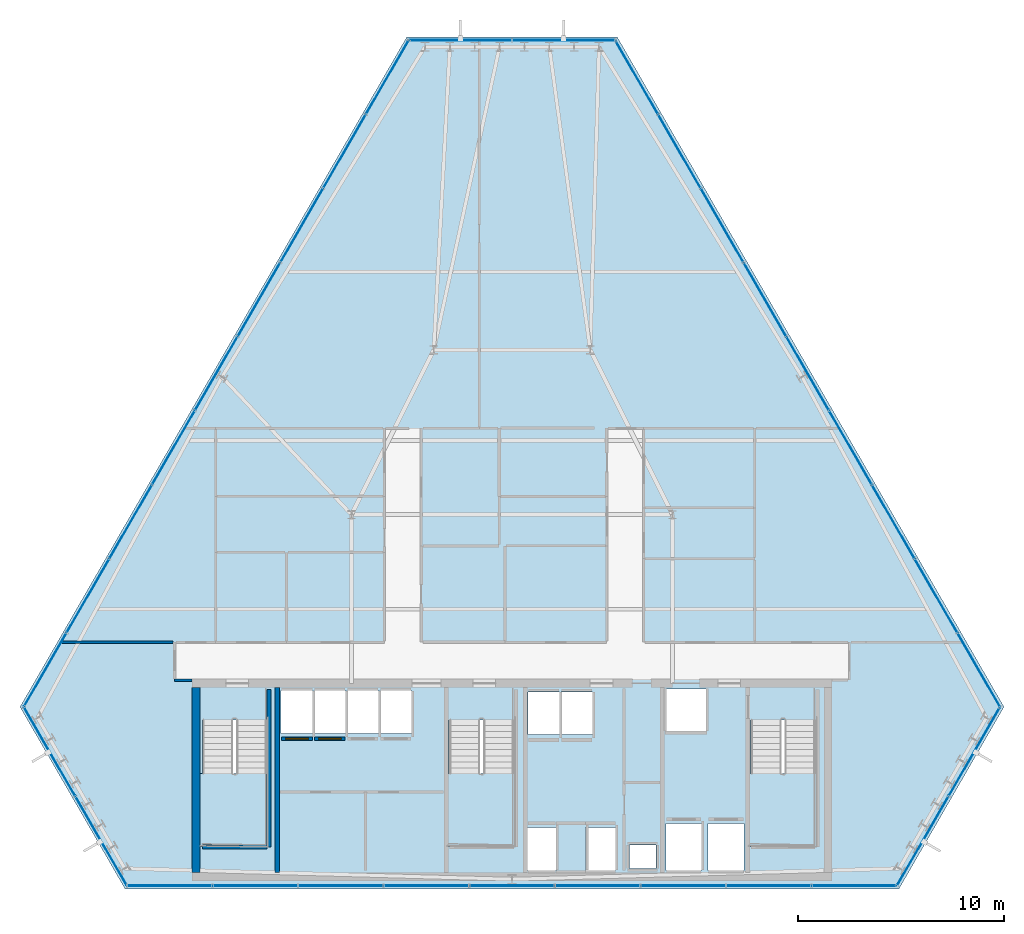
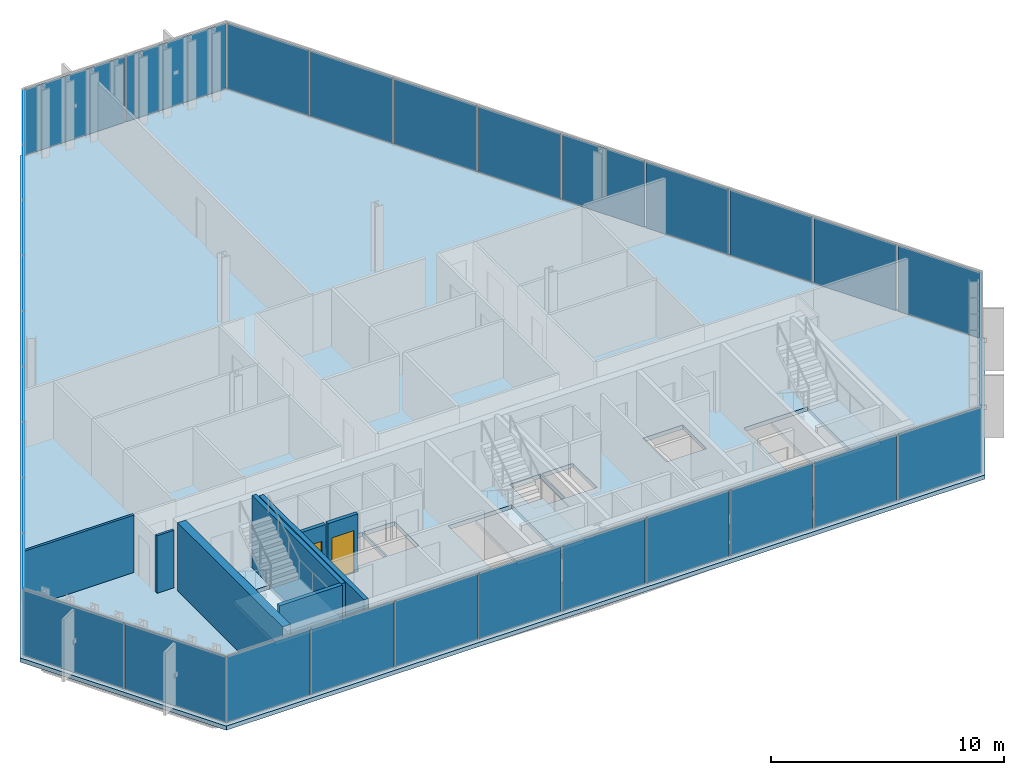
# One storey, part 27 of 35: 33 plates, 8 walls, 4 slabs, 2 doors, 2 openings, 9 elements without a shape of their own.
"""IFC4 building model written with IfcOpenShell, lengths in metres."""

from ifc_helpers import new_model, si_unit, direction, frame, frame_2d, origin, origin_2d, place, context, subcontext, project, spatial, polyline, rectangle, outline, extrude, material, layer, layer_set, type_object, element, fill, aggregate, save


model = new_model("IFC4")

# Units and contexts
model_context = context("Model", 3, precision=1e-05, world=origin(), true_north=direction((0.0, 1.0)))
body_context = subcontext(model_context, "Body", "Model", "MODEL_VIEW")
ifc_project = project(units=[si_unit("LENGTHUNIT", "METRE"), si_unit("AREAUNIT", "SQUARE_METRE"), si_unit("VOLUMEUNIT", "CUBIC_METRE"), si_unit("PLANEANGLEUNIT", "RADIAN"), si_unit("MASSUNIT", "GRAM", prefix="KILO")], contexts=[model_context])

# Site, building, storey
site_placement = place(None, origin())
site = spatial("IfcSite", under=ifc_project, at=site_placement, CompositionType="ELEMENT")
building_placement = place(site_placement, origin())
building = spatial("IfcBuilding", under=site, at=building_placement, Name="Ndaravel Arena Tower", CompositionType="ELEMENT")
storey_placement = place(building_placement, frame((0.0, 0.0, 176.39990234375)))
storey = spatial("IfcBuildingStorey", under=building, at=storey_placement, Name="L42", CompositionType="ELEMENT", Elevation=176.39990234375)

# Curtain wall, plate
ifc_material_1 = material(Name="Aluminium", Category="aluminium")
ifc_layer_1 = layer(ifc_material_1, 0.179931640625)
ifc_layer_set_1 = layer_set([ifc_layer_1], Name="Aluminium")
curtain_wall_type_1 = type_object("IfcCurtainWallType", Name="CW-SYS-01", PredefinedType="NOTDEFINED", material=ifc_layer_set_1)
curtain_wall_1_placement = place(storey_placement, origin())
curtain_wall_1 = element("IfcCurtainWall", 1, at=curtain_wall_1_placement, inside=storey, type_object=curtain_wall_type_1, Name="L42 Faceted Crystal Curtain Wall CW-L42-E02", PredefinedType="NOTDEFINED")
ifc_material_2 = material(Name="Glazing", Category="glass")
ifc_layer_2 = layer(ifc_material_2, 0.035888671875)
ifc_layer_set_2 = layer_set([ifc_layer_2], Name="Glazing")
plate_type_1 = type_object("IfcPlateType", Name="PLT-CW-OPVENT", PredefinedType="CURTAIN_PANEL", material=ifc_layer_set_2)
plate_1_placement = place(storey_placement, frame((64.467529296875, 11.6796875, 0.06005859375), z_axis=(0.0, 0.0, 1.0), x_axis=(0.5, 0.866025403784, 0.0)))
plate_1 = element("IfcPlate", 2, at=plate_1_placement, type_object=plate_type_1, Name="CW-L42-E02 Operable Vent Sash Panel 02", PredefinedType="CURTAIN_PANEL", context=body_context, shape_type="SweptSolid", body=[
    extrude(rectangle(XDim=4.938720703125, YDim=0.035888671875, at=origin_2d()), origin(), (0.0, 0.0, 1.0), 3.4599609375),
])

curtain_wall_2_placement = place(storey_placement, origin())
curtain_wall_2 = element("IfcCurtainWall", 3, at=curtain_wall_2_placement, inside=storey, type_object=curtain_wall_type_1, Name="L42 Faceted Crystal Curtain Wall CW-L42-E04", PredefinedType="NOTDEFINED")
plate_2_placement = place(storey_placement, frame((39.490478515625, 46.248291015625, 0.06005859375), z_axis=(0.0, 0.0, 1.0), x_axis=(-1.0, 0.0, 0.0)))
plate_2 = element("IfcPlate", 4, at=plate_2_placement, type_object=plate_type_1, Name="CW-L42-E04 Operable Vent Sash Panel 02", PredefinedType="CURTAIN_PANEL", context=body_context, shape_type="SweptSolid", body=[
    extrude(rectangle(XDim=4.938720703125, YDim=0.035888671875, at=origin_2d()), origin(), (0.0, 0.0, 1.0), 3.4599609375),
])

ifc_material_3 = material(Name="Aluminium", Category="aluminium")
ifc_layer_3 = layer(ifc_material_3, 0.179931640625)
ifc_layer_set_3 = layer_set([ifc_layer_3], Name="Aluminium")
curtain_wall_type_2 = type_object("IfcCurtainWallType", Name="CW-SYS-02", PredefinedType="NOTDEFINED", material=ifc_layer_set_3)
curtain_wall_3_placement = place(storey_placement, origin())
curtain_wall_3 = element("IfcCurtainWall", 5, at=curtain_wall_3_placement, inside=storey, type_object=curtain_wall_type_2, Name="L42 Faceted Crystal Curtain Wall CW-L42-E06", PredefinedType="NOTDEFINED")
plate_3_placement = place(storey_placement, frame((22.0419921875, 7.333251953125, 0.06005859375), z_axis=(0.0, 0.0, 1.0), x_axis=(0.5, -0.866025403784, 0.0)))
plate_3 = element("IfcPlate", 6, at=plate_3_placement, type_object=plate_type_1, Name="CW-L42-E06 Operable Vent Sash Panel 02", PredefinedType="CURTAIN_PANEL", context=body_context, shape_type="SweptSolid", body=[
    extrude(rectangle(XDim=4.938720703125, YDim=0.035888671875, at=origin_2d()), origin(), (0.0, 0.0, 1.0), 3.4599609375),
])

# Plate
ifc_material_4 = material(Name="Glazing", Category="glass")
ifc_layer_4 = layer(ifc_material_4, 0.031982421875)
ifc_layer_set_4 = layer_set([ifc_layer_4], Name="Glazing")
plate_type_2 = type_object("IfcPlateType", Name="PLT-GLZ-FRIT35", PredefinedType="CURTAIN_PANEL", material=ifc_layer_set_4)
plate_4_placement = place(storey_placement, frame((61.9580078125, 7.333251953125, 0.06005859375), z_axis=(0.0, 0.0, 1.0), x_axis=(0.5, 0.866025403784, 0.0)))
plate_4 = element("IfcPlate", 7, at=plate_4_placement, type_object=plate_type_2, Name="CW-L42-E02 Vision Glass Panel 01", PredefinedType="CURTAIN_PANEL", context=body_context, shape_type="SweptSolid", body=[
    extrude(rectangle(XDim=4.938720703125, YDim=0.035888671875, at=origin_2d()), origin(), (0.0, 0.0, 1.0), 3.4599609375),
])

aggregate(curtain_wall_1, [plate_4, plate_1])

plate_5_placement = place(storey_placement, frame((44.509521484375, 46.248291015625, 0.06005859375), z_axis=(0.0, 0.0, 1.0), x_axis=(-1.0, 0.0, 0.0)))
plate_5 = element("IfcPlate", 8, at=plate_5_placement, type_object=plate_type_2, Name="CW-L42-E04 Vision Glass Panel 01", PredefinedType="CURTAIN_PANEL", context=body_context, shape_type="SweptSolid", body=[
    extrude(rectangle(XDim=4.938720703125, YDim=0.035888671875, at=origin_2d()), origin(), (0.0, 0.0, 1.0), 3.4599609375),
])

aggregate(curtain_wall_2, [plate_5, plate_2])

ifc_material_5 = material(Name="Glazing", Category="glass")
ifc_layer_5 = layer(ifc_material_5, 0.035888671875)
ifc_layer_set_5 = layer_set([ifc_layer_5], Name="Glazing")
plate_type_3 = type_object("IfcPlateType", Name="PLT-GLZ-FRIT55", PredefinedType="CURTAIN_PANEL", material=ifc_layer_set_5)
plate_6_placement = place(storey_placement, frame((19.532470703125, 11.6796875, 0.06005859375), z_axis=(0.0, 0.0, 1.0), x_axis=(0.5, -0.866025403784, 0.0)))
plate_6 = element("IfcPlate", 9, at=plate_6_placement, type_object=plate_type_3, Name="CW-L42-E06 Vision Glass Panel 01", PredefinedType="CURTAIN_PANEL", context=body_context, shape_type="SweptSolid", body=[
    extrude(rectangle(XDim=4.938720703125, YDim=0.035888671875, at=origin_2d()), origin(), (0.0, 0.0, 1.0), 3.4599609375),
])

aggregate(curtain_wall_3, [plate_6, plate_3])

# Curtain wall, plates
ifc_material_6 = material(Name="Aluminium", Category="aluminium")
ifc_layer_6 = layer(ifc_material_6, 0.179931640625)
ifc_layer_set_6 = layer_set([ifc_layer_6], Name="Aluminium")
curtain_wall_type_3 = type_object("IfcCurtainWallType", Name="CW-SYS-03", PredefinedType="NOTDEFINED", material=ifc_layer_set_6)
curtain_wall_4_placement = place(storey_placement, origin())
curtain_wall_4 = element("IfcCurtainWall", 10, at=curtain_wall_4_placement, inside=storey, type_object=curtain_wall_type_3, Name="L42 Faceted Crystal Curtain Wall CW-L42-E01", PredefinedType="NOTDEFINED")
ifc_material_7 = material(Name="Glazing", Category="glass")
ifc_layer_7 = layer(ifc_material_7, 0.0400390625)
ifc_layer_set_7 = layer_set([ifc_layer_7], Name="Glazing")
plate_type_4 = type_object("IfcPlateType", Name="PLT-GLZ-LOWIRON", PredefinedType="CURTAIN_PANEL", material=ifc_layer_set_7)
plate_7_placement = place(storey_placement, frame((25.374755859375, 5.159912109375, 0.06005859375), z_axis=(0.0, 0.0, 1.0), x_axis=(1.0, 0.0, 0.0)))
plate_7 = element("IfcPlate", 11, at=plate_7_placement, type_object=plate_type_4, Name="CW-L42-E01 Vision Glass Panel 01", PredefinedType="CURTAIN_PANEL", context=body_context, shape_type="SweptSolid", body=[
    extrude(rectangle(XDim=4.076416015625, YDim=0.035888671875, at=origin_2d()), origin(), (0.0, 0.0, 1.0), 3.4599609375),
])
plate_8_placement = place(storey_placement, frame((29.531005859375, 5.159912109375, 0.06005859375), z_axis=(0.0, 0.0, 1.0), x_axis=(1.0, 0.0, 0.0)))
plate_8 = element("IfcPlate", 12, at=plate_8_placement, type_object=plate_type_4, Name="CW-L42-E01 Vision Glass Panel 02", PredefinedType="CURTAIN_PANEL", context=body_context, shape_type="SweptSolid", body=[
    extrude(rectangle(XDim=4.076416015625, YDim=0.035888671875, at=origin_2d()), origin(), (0.0, 0.0, 1.0), 3.4599609375),
])
plate_9_placement = place(storey_placement, frame((33.6875, 5.159912109375, 0.06005859375), z_axis=(0.0, 0.0, 1.0), x_axis=(1.0, 0.0, 0.0)))
plate_9 = element("IfcPlate", 13, at=plate_9_placement, type_object=plate_type_4, Name="CW-L42-E01 Vision Glass Panel 03", PredefinedType="CURTAIN_PANEL", context=body_context, shape_type="SweptSolid", body=[
    extrude(rectangle(XDim=4.076416015625, YDim=0.035888671875, at=origin_2d()), origin(), (0.0, 0.0, 1.0), 3.4599609375),
])
plate_10_placement = place(storey_placement, frame((37.84375, 5.159912109375, 0.06005859375), z_axis=(0.0, 0.0, 1.0), x_axis=(1.0, 0.0, 0.0)))
plate_10 = element("IfcPlate", 14, at=plate_10_placement, type_object=plate_type_4, Name="CW-L42-E01 Vision Glass Panel 04", PredefinedType="CURTAIN_PANEL", context=body_context, shape_type="SweptSolid", body=[
    extrude(rectangle(XDim=4.076416015625, YDim=0.035888671875, at=origin_2d()), origin(), (0.0, 0.0, 1.0), 3.4599609375),
])
plate_11_placement = place(storey_placement, frame((42.0, 5.159912109375, 0.06005859375), z_axis=(0.0, 0.0, 1.0), x_axis=(1.0, 0.0, 0.0)))
plate_11 = element("IfcPlate", 15, at=plate_11_placement, type_object=plate_type_4, Name="CW-L42-E01 Vision Glass Panel 05", PredefinedType="CURTAIN_PANEL", context=body_context, shape_type="SweptSolid", body=[
    extrude(rectangle(XDim=4.076416015625, YDim=0.035888671875, at=origin_2d()), origin(), (0.0, 0.0, 1.0), 3.4599609375),
])
plate_12_placement = place(storey_placement, frame((46.15625, 5.159912109375, 0.06005859375), z_axis=(0.0, 0.0, 1.0), x_axis=(1.0, 0.0, 0.0)))
plate_12 = element("IfcPlate", 16, at=plate_12_placement, type_object=plate_type_4, Name="CW-L42-E01 Vision Glass Panel 06", PredefinedType="CURTAIN_PANEL", context=body_context, shape_type="SweptSolid", body=[
    extrude(rectangle(XDim=4.076416015625, YDim=0.035888671875, at=origin_2d()), origin(), (0.0, 0.0, 1.0), 3.4599609375),
])
plate_13_placement = place(storey_placement, frame((50.3125, 5.159912109375, 0.06005859375), z_axis=(0.0, 0.0, 1.0), x_axis=(1.0, 0.0, 0.0)))
plate_13 = element("IfcPlate", 17, at=plate_13_placement, type_object=plate_type_4, Name="CW-L42-E01 Vision Glass Panel 07", PredefinedType="CURTAIN_PANEL", context=body_context, shape_type="SweptSolid", body=[
    extrude(rectangle(XDim=4.076416015625, YDim=0.035888671875, at=origin_2d()), origin(), (0.0, 0.0, 1.0), 3.4599609375),
])
plate_14_placement = place(storey_placement, frame((54.468994140625, 5.159912109375, 0.06005859375), z_axis=(0.0, 0.0, 1.0), x_axis=(1.0, 0.0, 0.0)))
plate_14 = element("IfcPlate", 18, at=plate_14_placement, type_object=plate_type_4, Name="CW-L42-E01 Vision Glass Panel 08", PredefinedType="CURTAIN_PANEL", context=body_context, shape_type="SweptSolid", body=[
    extrude(rectangle(XDim=4.076416015625, YDim=0.035888671875, at=origin_2d()), origin(), (0.0, 0.0, 1.0), 3.4599609375),
])
plate_15_placement = place(storey_placement, frame((58.625244140625, 5.159912109375, 0.06005859375), z_axis=(0.0, 0.0, 1.0), x_axis=(1.0, 0.0, 0.0)))
plate_15 = element("IfcPlate", 19, at=plate_15_placement, type_object=plate_type_4, Name="CW-L42-E01 Vision Glass Panel 09", PredefinedType="CURTAIN_PANEL", context=body_context, shape_type="SweptSolid", body=[
    extrude(rectangle(XDim=4.076416015625, YDim=0.035888671875, at=origin_2d()), origin(), (0.0, 0.0, 1.0), 3.4599609375),
])
aggregate(curtain_wall_4, [plate_7, plate_8, plate_9, plate_10, plate_11, plate_12, plate_13, plate_14, plate_15])

curtain_wall_5_placement = place(storey_placement, origin())
curtain_wall_5 = element("IfcCurtainWall", 20, at=curtain_wall_5_placement, inside=storey, type_object=curtain_wall_type_3, Name="L42 Faceted Crystal Curtain Wall CW-L42-E03", PredefinedType="NOTDEFINED")
plate_16_placement = place(storey_placement, frame((64.68310546875, 15.652587890625, 0.06005859375), z_axis=(0.0, 0.0, 1.0), x_axis=(-0.5, 0.866025403784, 0.0)))
plate_16 = element("IfcPlate", 21, at=plate_16_placement, type_object=plate_type_4, Name="CW-L42-E03 Vision Glass Panel 01", PredefinedType="CURTAIN_PANEL", context=body_context, shape_type="SweptSolid", body=[
    extrude(rectangle(XDim=4.076416015625, YDim=0.035888671875, at=origin_2d()), origin(), (0.0, 0.0, 1.0), 3.4599609375),
])
plate_17_placement = place(storey_placement, frame((62.60498046875, 19.252197265625, 0.06005859375), z_axis=(0.0, 0.0, 1.0), x_axis=(-0.5, 0.866025403784, 0.0)))
plate_17 = element("IfcPlate", 22, at=plate_17_placement, type_object=plate_type_4, Name="CW-L42-E03 Vision Glass Panel 02", PredefinedType="CURTAIN_PANEL", context=body_context, shape_type="SweptSolid", body=[
    extrude(rectangle(XDim=4.076416015625, YDim=0.035888671875, at=origin_2d()), origin(), (0.0, 0.0, 1.0), 3.4599609375),
])
plate_18_placement = place(storey_placement, frame((60.52685546875, 22.8515625, 0.06005859375), z_axis=(0.0, 0.0, 1.0), x_axis=(-0.5, 0.866025403784, 0.0)))
plate_18 = element("IfcPlate", 23, at=plate_18_placement, type_object=plate_type_4, Name="CW-L42-E03 Vision Glass Panel 03", PredefinedType="CURTAIN_PANEL", context=body_context, shape_type="SweptSolid", body=[
    extrude(rectangle(XDim=4.076416015625, YDim=0.035888671875, at=origin_2d()), origin(), (0.0, 0.0, 1.0), 3.4599609375),
])
plate_19_placement = place(storey_placement, frame((58.44873046875, 26.451171875, 0.06005859375), z_axis=(0.0, 0.0, 1.0), x_axis=(-0.5, 0.866025403784, 0.0)))
plate_19 = element("IfcPlate", 24, at=plate_19_placement, type_object=plate_type_4, Name="CW-L42-E03 Vision Glass Panel 04", PredefinedType="CURTAIN_PANEL", context=body_context, shape_type="SweptSolid", body=[
    extrude(rectangle(XDim=4.076416015625, YDim=0.035888671875, at=origin_2d()), origin(), (0.0, 0.0, 1.0), 3.4599609375),
])
plate_20_placement = place(storey_placement, frame((56.37060546875, 30.050537109375, 0.06005859375), z_axis=(0.0, 0.0, 1.0), x_axis=(-0.5, 0.866025403784, 0.0)))
plate_20 = element("IfcPlate", 25, at=plate_20_placement, type_object=plate_type_4, Name="CW-L42-E03 Vision Glass Panel 05", PredefinedType="CURTAIN_PANEL", context=body_context, shape_type="SweptSolid", body=[
    extrude(rectangle(XDim=4.076416015625, YDim=0.035888671875, at=origin_2d()), origin(), (0.0, 0.0, 1.0), 3.4599609375),
])
plate_21_placement = place(storey_placement, frame((54.292236328125, 33.64990234375, 0.06005859375), z_axis=(0.0, 0.0, 1.0), x_axis=(-0.5, 0.866025403784, 0.0)))
plate_21 = element("IfcPlate", 26, at=plate_21_placement, type_object=plate_type_4, Name="CW-L42-E03 Vision Glass Panel 06", PredefinedType="CURTAIN_PANEL", context=body_context, shape_type="SweptSolid", body=[
    extrude(rectangle(XDim=4.076416015625, YDim=0.035888671875, at=origin_2d()), origin(), (0.0, 0.0, 1.0), 3.4599609375),
])
plate_22_placement = place(storey_placement, frame((52.214111328125, 37.24951171875, 0.06005859375), z_axis=(0.0, 0.0, 1.0), x_axis=(-0.5, 0.866025403784, 0.0)))
plate_22 = element("IfcPlate", 27, at=plate_22_placement, type_object=plate_type_4, Name="CW-L42-E03 Vision Glass Panel 07", PredefinedType="CURTAIN_PANEL", context=body_context, shape_type="SweptSolid", body=[
    extrude(rectangle(XDim=4.076416015625, YDim=0.035888671875, at=origin_2d()), origin(), (0.0, 0.0, 1.0), 3.4599609375),
])
plate_23_placement = place(storey_placement, frame((50.135986328125, 40.84912109375, 0.06005859375), z_axis=(0.0, 0.0, 1.0), x_axis=(-0.5, 0.866025403784, 0.0)))
plate_23 = element("IfcPlate", 28, at=plate_23_placement, type_object=plate_type_4, Name="CW-L42-E03 Vision Glass Panel 08", PredefinedType="CURTAIN_PANEL", context=body_context, shape_type="SweptSolid", body=[
    extrude(rectangle(XDim=4.076416015625, YDim=0.035888671875, at=origin_2d()), origin(), (0.0, 0.0, 1.0), 3.4599609375),
])
plate_24_placement = place(storey_placement, frame((48.057861328125, 44.448486328125, 0.06005859375), z_axis=(0.0, 0.0, 1.0), x_axis=(-0.5, 0.866025403784, 0.0)))
plate_24 = element("IfcPlate", 29, at=plate_24_placement, type_object=plate_type_4, Name="CW-L42-E03 Vision Glass Panel 09", PredefinedType="CURTAIN_PANEL", context=body_context, shape_type="SweptSolid", body=[
    extrude(rectangle(XDim=4.076416015625, YDim=0.035888671875, at=origin_2d()), origin(), (0.0, 0.0, 1.0), 3.4599609375),
])
aggregate(curtain_wall_5, [plate_16, plate_17, plate_18, plate_19, plate_20, plate_21, plate_22, plate_23, plate_24])

curtain_wall_6_placement = place(storey_placement, origin())
curtain_wall_6 = element("IfcCurtainWall", 30, at=curtain_wall_6_placement, inside=storey, type_object=curtain_wall_type_3, Name="L42 Faceted Crystal Curtain Wall CW-L42-E05", PredefinedType="NOTDEFINED")
plate_25_placement = place(storey_placement, frame((35.942138671875, 44.448486328125, 0.06005859375), z_axis=(0.0, 0.0, 1.0), x_axis=(-0.5, -0.866025403784, 0.0)))
plate_25 = element("IfcPlate", 31, at=plate_25_placement, type_object=plate_type_4, Name="CW-L42-E05 Vision Glass Panel 01", PredefinedType="CURTAIN_PANEL", context=body_context, shape_type="SweptSolid", body=[
    extrude(rectangle(XDim=4.076416015625, YDim=0.035888671875, at=origin_2d()), origin(), (0.0, 0.0, 1.0), 3.4599609375),
])
plate_26_placement = place(storey_placement, frame((33.864013671875, 40.84912109375, 0.06005859375), z_axis=(0.0, 0.0, 1.0), x_axis=(-0.5, -0.866025403784, 0.0)))
plate_26 = element("IfcPlate", 32, at=plate_26_placement, type_object=plate_type_4, Name="CW-L42-E05 Vision Glass Panel 02", PredefinedType="CURTAIN_PANEL", context=body_context, shape_type="SweptSolid", body=[
    extrude(rectangle(XDim=4.076416015625, YDim=0.035888671875, at=origin_2d()), origin(), (0.0, 0.0, 1.0), 3.4599609375),
])
plate_27_placement = place(storey_placement, frame((31.785888671875, 37.24951171875, 0.06005859375), z_axis=(0.0, 0.0, 1.0), x_axis=(-0.5, -0.866025403784, 0.0)))
plate_27 = element("IfcPlate", 33, at=plate_27_placement, type_object=plate_type_4, Name="CW-L42-E05 Vision Glass Panel 03", PredefinedType="CURTAIN_PANEL", context=body_context, shape_type="SweptSolid", body=[
    extrude(rectangle(XDim=4.076416015625, YDim=0.035888671875, at=origin_2d()), origin(), (0.0, 0.0, 1.0), 3.4599609375),
])
plate_28_placement = place(storey_placement, frame((29.707763671875, 33.64990234375, 0.06005859375), z_axis=(0.0, 0.0, 1.0), x_axis=(-0.5, -0.866025403784, 0.0)))
plate_28 = element("IfcPlate", 34, at=plate_28_placement, type_object=plate_type_4, Name="CW-L42-E05 Vision Glass Panel 04", PredefinedType="CURTAIN_PANEL", context=body_context, shape_type="SweptSolid", body=[
    extrude(rectangle(XDim=4.076416015625, YDim=0.035888671875, at=origin_2d()), origin(), (0.0, 0.0, 1.0), 3.4599609375),
])
plate_29_placement = place(storey_placement, frame((27.62939453125, 30.050537109375, 0.06005859375), z_axis=(0.0, 0.0, 1.0), x_axis=(-0.5, -0.866025403784, 0.0)))
plate_29 = element("IfcPlate", 35, at=plate_29_placement, type_object=plate_type_4, Name="CW-L42-E05 Vision Glass Panel 05", PredefinedType="CURTAIN_PANEL", context=body_context, shape_type="SweptSolid", body=[
    extrude(rectangle(XDim=4.076416015625, YDim=0.035888671875, at=origin_2d()), origin(), (0.0, 0.0, 1.0), 3.4599609375),
])
plate_30_placement = place(storey_placement, frame((25.55126953125, 26.451171875, 0.06005859375), z_axis=(0.0, 0.0, 1.0), x_axis=(-0.5, -0.866025403784, 0.0)))
plate_30 = element("IfcPlate", 36, at=plate_30_placement, type_object=plate_type_4, Name="CW-L42-E05 Vision Glass Panel 06", PredefinedType="CURTAIN_PANEL", context=body_context, shape_type="SweptSolid", body=[
    extrude(rectangle(XDim=4.076416015625, YDim=0.035888671875, at=origin_2d()), origin(), (0.0, 0.0, 1.0), 3.4599609375),
])
plate_31_placement = place(storey_placement, frame((23.47314453125, 22.8515625, 0.06005859375), z_axis=(0.0, 0.0, 1.0), x_axis=(-0.5, -0.866025403784, 0.0)))
plate_31 = element("IfcPlate", 37, at=plate_31_placement, type_object=plate_type_4, Name="CW-L42-E05 Vision Glass Panel 07", PredefinedType="CURTAIN_PANEL", context=body_context, shape_type="SweptSolid", body=[
    extrude(rectangle(XDim=4.076416015625, YDim=0.035888671875, at=origin_2d()), origin(), (0.0, 0.0, 1.0), 3.4599609375),
])
plate_32_placement = place(storey_placement, frame((21.39501953125, 19.252197265625, 0.06005859375), z_axis=(0.0, 0.0, 1.0), x_axis=(-0.5, -0.866025403784, 0.0)))
plate_32 = element("IfcPlate", 38, at=plate_32_placement, type_object=plate_type_4, Name="CW-L42-E05 Vision Glass Panel 08", PredefinedType="CURTAIN_PANEL", context=body_context, shape_type="SweptSolid", body=[
    extrude(rectangle(XDim=4.076416015625, YDim=0.035888671875, at=origin_2d()), origin(), (0.0, 0.0, 1.0), 3.4599609375),
])
plate_33_placement = place(storey_placement, frame((19.31689453125, 15.652587890625, 0.06005859375), z_axis=(0.0, 0.0, 1.0), x_axis=(-0.5, -0.866025403784, 0.0)))
plate_33 = element("IfcPlate", 39, at=plate_33_placement, type_object=plate_type_4, Name="CW-L42-E05 Vision Glass Panel 09", PredefinedType="CURTAIN_PANEL", context=body_context, shape_type="SweptSolid", body=[
    extrude(rectangle(XDim=4.076416015625, YDim=0.035888671875, at=origin_2d()), origin(), (0.0, 0.0, 1.0), 3.4599609375),
])
aggregate(curtain_wall_6, [plate_25, plate_26, plate_27, plate_28, plate_29, plate_30, plate_31, plate_32, plate_33])

# Stair, slab
ifc_material_8 = material(Name="Concrete C40/50", Category="concrete")
stair_type = type_object("IfcStairType", Name="STAIR-CORE-HT", PredefinedType="HALF_TURN_STAIR", material=ifc_material_8)
stair_1_placement = place(storey_placement, origin())
stair_1 = element("IfcStair", 40, at=stair_1_placement, inside=storey, type_object=stair_type, Name="L42 ST-1", PredefinedType="HALF_TURN_STAIR")
ifc_material_9 = material(Name="Concrete C40/50", Category="concrete")
ifc_layer_8 = layer(ifc_material_9, 0.199951171875)
ifc_layer_set_8 = layer_set([ifc_layer_8], Name="Concrete C40/50")
slab_type_1 = type_object("IfcSlabType", Name="SLAB-STAIR-LANDING", PredefinedType="LANDING", material=ifc_layer_set_8)
slab_1_placement = place(storey_placement, frame((0.0, 0.0, 1.7001953125)))
slab_1 = element("IfcSlab", 41, at=slab_1_placement, type_object=slab_type_1, Name="ST-1 landing 1", PredefinedType="LANDING", context=body_context, shape_type="SweptSolid", body=[
    extrude(outline(polyline([(26.81005859375, 10.6298828125), (26.81005859375, 7.070068359375), (30.169921875, 7.070068359375), (30.169921875, 10.6298828125), (26.81005859375, 10.6298828125)])), origin(), (0.0, 0.0, 1.0), 0.199951171875),
])
aggregate(stair_1, [slab_1])

stair_2_placement = place(storey_placement, origin())
stair_2 = element("IfcStair", 42, at=stair_2_placement, inside=storey, type_object=stair_type, Name="L42 ST-2", PredefinedType="HALF_TURN_STAIR")
slab_2_placement = place(storey_placement, frame((0.0, 0.0, 1.7001953125)))
slab_2 = element("IfcSlab", 43, at=slab_2_placement, type_object=slab_type_1, Name="ST-2 landing 1", PredefinedType="LANDING", context=body_context, shape_type="SweptSolid", body=[
    extrude(outline(polyline([(38.81005859375, 10.6298828125), (38.81005859375, 7.070068359375), (42.169921875, 7.070068359375), (42.169921875, 10.6298828125), (38.81005859375, 10.6298828125)])), origin(), (0.0, 0.0, 1.0), 0.199951171875),
])
aggregate(stair_2, [slab_2])

stair_3_placement = place(storey_placement, origin())
stair_3 = element("IfcStair", 44, at=stair_3_placement, inside=storey, type_object=stair_type, Name="L42 ST-3", PredefinedType="HALF_TURN_STAIR")
slab_3_placement = place(storey_placement, frame((0.0, 0.0, 1.7001953125)))
slab_3 = element("IfcSlab", 45, at=slab_3_placement, type_object=slab_type_1, Name="ST-3 landing 1", PredefinedType="LANDING", context=body_context, shape_type="SweptSolid", body=[
    extrude(outline(polyline([(53.4599609375, 10.6298828125), (53.4599609375, 7.070068359375), (56.820068359375, 7.070068359375), (56.820068359375, 10.6298828125), (53.4599609375, 10.6298828125)])), origin(), (0.0, 0.0, 1.0), 0.199951171875),
])
aggregate(stair_3, [slab_3])

# Slab
ifc_material_10 = material(Name="Concrete C40/50", Category="concrete")
ifc_layer_9 = layer(ifc_material_10, 0.219970703125)
ifc_layer_set_9 = layer_set([ifc_layer_9], Name="Concrete C40/50")
slab_type_2 = type_object("IfcSlabType", Name="SLAB-TWR-220", PredefinedType="FLOOR", material=ifc_layer_set_9)
slab_4_placement = place(storey_placement, frame((0.0, 0.0, -0.219970703125)))
element("IfcSlab", 46, at=slab_4_placement, inside=storey, type_object=slab_type_2, Name="L42 Structural Floor Slab", PredefinedType="FLOOR", context=body_context, shape_type="SweptSolid", body=[
    extrude(outline(polyline([(18.093017578125, 13.852783203125), (23.2041015625, 5.0), (60.7958984375, 5.0), (65.906982421875, 13.852783203125), (47.111083984375, 46.408203125), (36.888916015625, 46.408203125), (18.093017578125, 13.852783203125)]), holes=[polyline([(26.949951171875, 13.215087890625), (26.949951171875, 7.14990234375), (30.090087890625, 7.14990234375), (30.090087890625, 13.215087890625), (26.949951171875, 13.215087890625)]), polyline([(38.949951171875, 13.215087890625), (38.949951171875, 7.14990234375), (42.090087890625, 7.14990234375), (42.090087890625, 13.215087890625), (38.949951171875, 13.215087890625)]), polyline([(53.60009765625, 13.215087890625), (53.60009765625, 7.14990234375), (56.739990234375, 7.14990234375), (56.739990234375, 13.215087890625), (53.60009765625, 13.215087890625)]), polyline([(30.784912109375, 12.56005859375), (32.31494140625, 12.56005859375), (32.31494140625, 14.639892578125), (30.784912109375, 14.639892578125), (30.784912109375, 12.56005859375)]), polyline([(32.385009765625, 12.56005859375), (33.9150390625, 12.56005859375), (33.9150390625, 14.639892578125), (32.385009765625, 14.639892578125), (32.385009765625, 12.56005859375)]), polyline([(33.985107421875, 12.56005859375), (35.514892578125, 12.56005859375), (35.514892578125, 14.639892578125), (33.985107421875, 14.639892578125), (33.985107421875, 12.56005859375)]), polyline([(35.5849609375, 12.56005859375), (37.114990234375, 12.56005859375), (37.114990234375, 14.639892578125), (35.5849609375, 14.639892578125), (35.5849609375, 12.56005859375)]), polyline([(42.659912109375, 5.909912109375), (44.139892578125, 5.909912109375), (44.139892578125, 7.989990234375), (42.659912109375, 7.989990234375), (42.659912109375, 5.909912109375)]), polyline([(45.56005859375, 5.909912109375), (47.0400390625, 5.909912109375), (47.0400390625, 7.989990234375), (45.56005859375, 7.989990234375), (45.56005859375, 5.909912109375)]), polyline([(42.784912109375, 12.510009765625), (44.31494140625, 12.510009765625), (44.31494140625, 14.590087890625), (42.784912109375, 14.590087890625), (42.784912109375, 12.510009765625)]), polyline([(44.385009765625, 12.510009765625), (45.9150390625, 12.510009765625), (45.9150390625, 14.590087890625), (44.385009765625, 14.590087890625), (44.385009765625, 12.510009765625)]), polyline([(49.485107421875, 5.909912109375), (51.215087890625, 5.909912109375), (51.215087890625, 8.18994140625), (49.485107421875, 8.18994140625), (49.485107421875, 5.909912109375)]), polyline([(51.534912109375, 5.909912109375), (53.264892578125, 5.909912109375), (53.264892578125, 8.18994140625), (51.534912109375, 8.18994140625), (51.534912109375, 5.909912109375)]), polyline([(49.4599609375, 12.68505859375), (51.43994140625, 12.68505859375), (51.43994140625, 14.715087890625), (49.4599609375, 14.715087890625), (49.4599609375, 12.68505859375)]), polyline([(47.699951171875, 6.0), (49.0, 6.0), (49.0, 7.139892578125), (47.699951171875, 7.139892578125), (47.699951171875, 6.0)])]), origin(), (0.0, 0.0, 1.0), 0.219970703125),
])

# Walls
ifc_material_11 = material(Name="Concrete C50/60", Category="concrete")
ifc_layer_10 = layer(ifc_material_11, 0.219970703125)
ifc_layer_set_10 = layer_set([ifc_layer_10], Name="Concrete C50/60")
wall_type_1 = type_object("IfcWallType", Name="WALL-CORE-220", PredefinedType="SOLIDWALL", material=ifc_layer_set_10)
wall_1_placement = place(storey_placement, frame((30.60009765625, 5.800048828125, 0.0), z_axis=(0.0, 0.0, 1.0), x_axis=(0.0, 1.0, 0.0)))
element("IfcWall", 47, at=wall_1_placement, inside=storey, type_object=wall_type_1, Name="L42 Core Web Shear Wall 1", PredefinedType="SOLIDWALL", context=body_context, shape_type="SweptSolid", body=[
    extrude(rectangle(XDim=9.0, YDim=0.219970703125, at=frame_2d((4.5, 0.0))), origin(), (0.0, 0.0, 1.0), 3.580078125),
])
ifc_material_12 = material(Name="Concrete C50/60", Category="concrete")
ifc_layer_11 = layer(ifc_material_12, 0.39990234375)
ifc_layer_set_11 = layer_set([ifc_layer_11], Name="Concrete C50/60")
wall_type_2 = type_object("IfcWallType", Name="WALL-CORE-400", PredefinedType="SOLIDWALL", material=ifc_layer_set_11)
wall_2_placement = place(storey_placement, frame((26.64990234375, 5.800048828125, 0.0), z_axis=(0.0, 0.0, 1.0), x_axis=(0.0, 1.0, 0.0)))
element("IfcWall", 48, at=wall_2_placement, inside=storey, type_object=wall_type_2, Name="L42 Core West Shear Wall", PredefinedType="SOLIDWALL", context=body_context, shape_type="SweptSolid", body=[
    extrude(rectangle(XDim=9.0, YDim=0.39990234375, at=frame_2d((4.5, 0.0))), origin(), (0.0, 0.0, 1.0), 3.580078125),
])
ifc_material_13 = material(Name="Gypsum", Category="gypsum")
ifc_layer_12 = layer(ifc_material_13, 0.125)
ifc_layer_set_12 = layer_set([ifc_layer_12], Name="Gypsum")
wall_type_3 = type_object("IfcWallType", Name="WALL-PART-125", PredefinedType="PARTITIONING", material=ifc_layer_set_12)
wall_3_placement = place(storey_placement, frame((26.449951171875, 15.14990234375, 0.0), z_axis=(0.0, 0.0, 1.0), x_axis=(-1.0, 0.0, 0.0)))
element("IfcWall", 49, at=wall_3_placement, inside=storey, type_object=wall_type_3, Name="L42 Interior Partition 003", PredefinedType="PARTITIONING", context=body_context, shape_type="SweptSolid", body=[
    extrude(rectangle(XDim=0.849853515625, YDim=0.125, at=frame_2d((0.4248046875, 0.0))), origin(), (0.0, 0.0, 1.0), 3.010498046875),
])
wall_4_placement = place(storey_placement, frame((20.0947265625, 17.0, 0.0), z_axis=(0.0, 0.0, 1.0), x_axis=(1.0, 0.0, 0.0)))
element("IfcWall", 50, at=wall_4_placement, inside=storey, type_object=wall_type_3, Name="L42 Interior Partition 025", PredefinedType="PARTITIONING", context=body_context, shape_type="SweptSolid", body=[
    extrude(rectangle(XDim=5.440185546875, YDim=0.125, at=frame_2d((2.72021484375, 0.0))), origin(), (0.0, 0.0, 1.0), 3.010498046875),
])
ifc_material_14 = material(Name="Concrete C40/50", Category="concrete")
ifc_layer_13 = layer(ifc_material_14, 0.199951171875)
ifc_layer_set_13 = layer_set([ifc_layer_13], Name="Concrete C40/50")
wall_type_4 = type_object("IfcWallType", Name="WALL-SHAFT-200", PredefinedType="SOLIDWALL", material=ifc_layer_set_13)
wall_5_placement = place(storey_placement, frame((30.18994140625, 14.699951171875, 0.0), z_axis=(0.0, 0.0, 1.0), x_axis=(0.0, -1.0, 0.0)))
element("IfcWall", 51, at=wall_5_placement, inside=storey, type_object=wall_type_4, Name="L42 ST-1 Structural Shaft Wall Right", PredefinedType="SOLIDWALL", context=body_context, shape_type="SweptSolid", body=[
    extrude(rectangle(XDim=7.64990234375, YDim=0.199951171875, at=frame_2d((3.824951171875, 0.0))), origin(), (0.0, 0.0, 1.0), 3.800048828125),
])
wall_6_placement = place(storey_placement, frame((26.969970703125, 7.050048828125, 0.0), z_axis=(0.0, 0.0, 1.0), x_axis=(1.0, 0.0, 0.0)))
element("IfcWall", 52, at=wall_6_placement, inside=storey, type_object=wall_type_4, Name="L42 ST-1 Structural Shaft Wall Far", PredefinedType="SOLIDWALL", context=body_context, shape_type="SweptSolid", body=[
    extrude(rectangle(XDim=3.114990234375, YDim=0.199951171875, at=frame_2d((1.5576171875, 0.0))), origin(), (0.0, 0.0, 1.0), 3.800048828125),
])

# Wall, opening, door
wall_7_placement = place(storey_placement, frame((30.804931640625, 12.300048828125, 0.0), z_axis=(0.0, 0.0, 1.0), x_axis=(1.0, 0.0, 0.0)))
wall_7 = element("IfcWall", 53, at=wall_7_placement, inside=storey, type_object=wall_type_4, Name="L42 PL-M1 Shaft Landing Wall", PredefinedType="SOLIDWALL", context=body_context, shape_type="SweptSolid", body=[
    extrude(rectangle(XDim=1.489990234375, YDim=0.179931640625, at=frame_2d((0.7451171875, 0.0))), origin(), (0.0, 0.0, 1.0), 3.010498046875),
])
opening_1_placement = place(wall_7_placement, frame((0.195068359375, 0.0, 0.0)))
opening_1 = element("IfcOpeningElement", 54, at=opening_1_placement, cuts=wall_7, Name="Opening LD-01", PredefinedType="OPENING", context=body_context, shape_type="SweptSolid", body=[
    extrude(rectangle(XDim=1.10009765625, YDim=2.199951171875, at=frame_2d((0.550048828125, 1.10009765625))), frame((0.0, 0.08984375, 0.0), z_axis=(0.0, -1.0, 0.0), x_axis=(1.0, 0.0, 0.0)), (0.0, 0.0, 1.0), 0.179931640625),
])
ifc_material_15 = material(Name="Steel S355", Category="steel")
door_type = type_object("IfcDoorType", Name="DT-06-LIFT-1100", OperationType="SLIDING_TO_LEFT", PredefinedType="DOOR", material=ifc_material_15)
door_1_placement = place(opening_1_placement, origin())
door_1 = element("IfcDoor", 55, at=door_1_placement, inside=storey, type_object=door_type, Name="L42 Lift PL-M1 Sliding Landing Door", OperationType="SLIDING_TO_LEFT", OverallHeight=2.199951171875, OverallWidth=1.10009765625, PredefinedType="DOOR", context=body_context, shape_type="SweptSolid", body=[
    extrude(rectangle(XDim=1.10009765625, YDim=2.199951171875, at=frame_2d((0.550048828125, 1.10009765625))), frame((0.0, 0.02490234375, 0.0), z_axis=(0.0, -1.0, 0.0), x_axis=(1.0, 0.0, 0.0)), (0.0, 0.0, 1.0), 0.050048828125),
])
fill(opening_1, door_1)

wall_8_placement = place(storey_placement, frame((32.405029296875, 12.300048828125, 0.0), z_axis=(0.0, 0.0, 1.0), x_axis=(1.0, 0.0, 0.0)))
wall_8 = element("IfcWall", 56, at=wall_8_placement, inside=storey, type_object=wall_type_4, Name="L42 PL-M2 Shaft Landing Wall", PredefinedType="SOLIDWALL", context=body_context, shape_type="SweptSolid", body=[
    extrude(rectangle(XDim=1.489990234375, YDim=0.179931640625, at=frame_2d((0.7451171875, 0.0))), origin(), (0.0, 0.0, 1.0), 3.010498046875),
])
opening_2_placement = place(wall_8_placement, frame((0.195068359375, 0.0, 0.0)))
opening_2 = element("IfcOpeningElement", 57, at=opening_2_placement, cuts=wall_8, Name="Opening LD-01", PredefinedType="OPENING", context=body_context, shape_type="SweptSolid", body=[
    extrude(rectangle(XDim=1.10009765625, YDim=2.199951171875, at=frame_2d((0.550048828125, 1.10009765625))), frame((0.0, 0.08984375, 0.0), z_axis=(0.0, -1.0, 0.0), x_axis=(1.0, 0.0, 0.0)), (0.0, 0.0, 1.0), 0.179931640625),
])
door_2_placement = place(opening_2_placement, origin())
door_2 = element("IfcDoor", 58, at=door_2_placement, inside=storey, type_object=door_type, Name="L42 Lift PL-M2 Sliding Landing Door", OperationType="SLIDING_TO_LEFT", OverallHeight=2.199951171875, OverallWidth=1.10009765625, PredefinedType="DOOR", context=body_context, shape_type="SweptSolid", body=[
    extrude(rectangle(XDim=1.10009765625, YDim=2.199951171875, at=frame_2d((0.550048828125, 1.10009765625))), frame((0.0, 0.02490234375, 0.0), z_axis=(0.0, -1.0, 0.0), x_axis=(1.0, 0.0, 0.0)), (0.0, 0.0, 1.0), 0.050048828125),
])
fill(opening_2, door_2)

save(model, "model.ifc")
